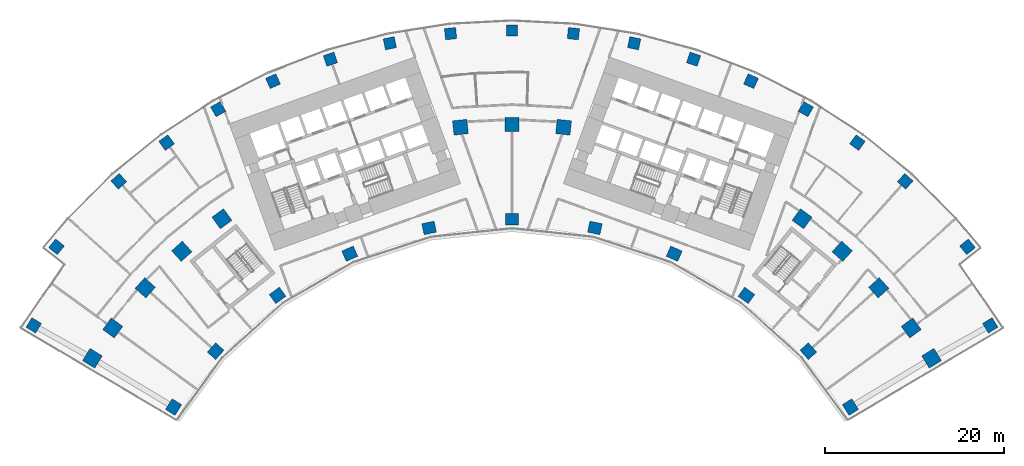
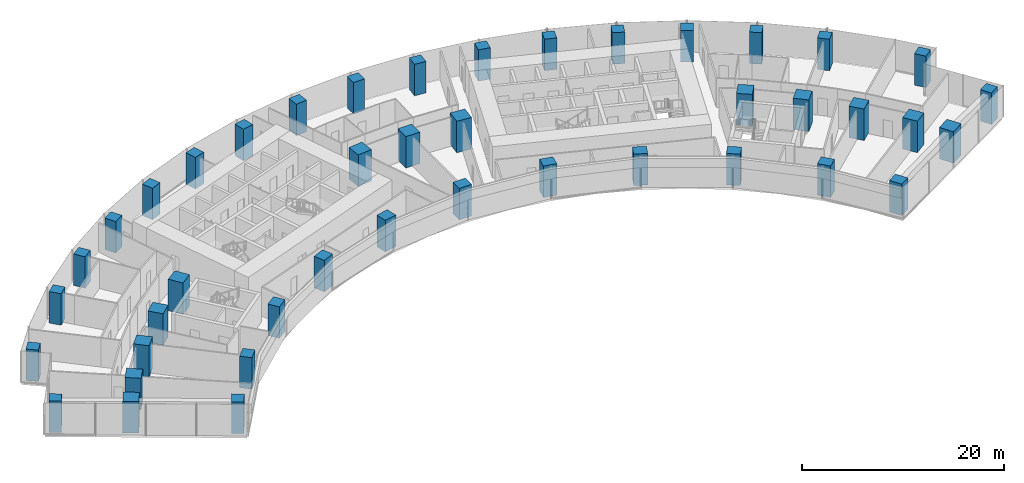
# One storey, part 1 of 21: 43 columns.
"""IFC4 building model written with IfcOpenShell, lengths in metres."""

from ifc_helpers import new_model, si_unit, direction, frame, origin, origin_2d, place, context, subcontext, project, spatial, rectangle, extrude, material, material_profile, profile_set, type_object, element, save


model = new_model("IFC4")

# Units and contexts
model_context = context("Model", 3, precision=1e-05, world=origin(), true_north=direction((0.0, 1.0)))
body_context = subcontext(model_context, "Body", "Model", "MODEL_VIEW")
ifc_project = project(units=[si_unit("LENGTHUNIT", "METRE"), si_unit("AREAUNIT", "SQUARE_METRE"), si_unit("VOLUMEUNIT", "CUBIC_METRE"), si_unit("PLANEANGLEUNIT", "RADIAN"), si_unit("MASSUNIT", "GRAM", prefix="KILO")], contexts=[model_context])

# Site, building, storey
site_placement = place(None, origin())
site = spatial("IfcSite", under=ifc_project, at=site_placement, CompositionType="ELEMENT")
building_placement = place(site_placement, origin())
building = spatial("IfcBuilding", under=site, at=building_placement, Name="Stone Belt Terrace Tower", CompositionType="ELEMENT")
storey_placement = place(building_placement, frame((0.0, 0.0, 33.800048828125)))
storey = spatial("IfcBuildingStorey", under=building, at=storey_placement, Name="L07", CompositionType="ELEMENT", Elevation=33.800048828125)

# Columns
ifc_material = material(Name="Concrete B80", Category="concrete")
ifc_material_profile_1 = material_profile(ifc_material, rectangle(XDim=1.25, YDim=1.25, at=origin_2d()), Name="RC 1250x1250")
ifc_profile_set_1 = profile_set([ifc_material_profile_1], Name="Concrete B80")
column_type_1 = type_object("IfcColumnType", Name="Column RC 1250x1250 B80", PredefinedType="COLUMN", material=ifc_profile_set_1)
for number, where, z_axis, x_axis, name in (
    (1, (-53.30078125, 32.6171875, 0.0), (0.0, 0.0, 1.0), (0.521967198123, 0.852965558556, 0.0), "Column L07 RA"),
    (2, (53.30078125, 32.6171875, 0.0), (0.0, 0.0, 1.0), (0.521967198123, -0.852965558556, 0.0), "Column L07 RB"),
    (3, (-50.7646484375, 41.373046875, 0.0), (0.0, 0.0, 1.0), (0.631758757508, 0.775165061333, 0.0), "Column L07 RNA"),
    (4, (-43.820556640625, 48.667724609375, 0.0), (0.0, 0.0, 1.0), (0.743144825477, 0.669130606359, 0.0), "Column L07 R15"),
    (5, (-38.493408203125, 52.981689453125, 0.0), (0.0, 0.0, 1.0), (0.809016994375, 0.587785252292, 0.0), "Column L07 R16"),
    (6, (-32.744384765625, 56.715087890625, 0.0), (0.0, 0.0, 1.0), (0.866025403784, 0.5, 0.0), "Column L07 R17"),
    (7, (-26.63671875, 59.8271484375, 0.0), (0.0, 0.0, 1.0), (0.913545457643, 0.406736643076, 0.0), "Column L07 R18"),
    (8, (-20.2373046875, 62.28369140625, 0.0), (0.0, 0.0, 1.0), (0.951056516295, 0.309016994375, 0.0), "Column L07 R19"),
    (9, (-13.615966796875, 64.057861328125, 0.0), (0.0, 0.0, 1.0), (0.978147600734, 0.207911690818, 0.0), "Column L07 R20"),
    (10, (-6.845458984375, 65.130126953125, 0.0), (0.0, 0.0, 1.0), (0.994521895368, 0.104528463268, 0.0), "Column L07 R21"),
    (11, (0.0, 65.489013671875, 0.0), (0.0, 0.0, 1.0), (1.0, 0.0, 0.0), "Column L07 R22"),
    (12, (6.845458984375, 65.130126953125, 0.0), (0.0, 0.0, 1.0), (0.994521895368, -0.104528463268, 0.0), "Column L07 R23"),
    (13, (13.615966796875, 64.057861328125, 0.0), (0.0, 0.0, 1.0), (0.978147600734, -0.207911690818, 0.0), "Column L07 R24"),
    (14, (20.2373046875, 62.28369140625, 0.0), (0.0, 0.0, 1.0), (0.951056516295, -0.309016994375, 0.0), "Column L07 R25"),
    (15, (26.63671875, 59.8271484375, 0.0), (0.0, 0.0, 1.0), (0.913545457643, -0.406736643076, 0.0), "Column L07 R26"),
    (16, (32.744384765625, 56.715087890625, 0.0), (0.0, 0.0, 1.0), (0.866025403784, -0.5, 0.0), "Column L07 R27"),
    (17, (38.493408203125, 52.981689453125, 0.0), (0.0, 0.0, 1.0), (0.809016994375, -0.587785252292, 0.0), "Column L07 R28"),
    (18, (43.820556640625, 48.667724609375, 0.0), (0.0, 0.0, 1.0), (0.743144825477, -0.669130606359, 0.0), "Column L07 R29"),
    (19, (50.7646484375, 41.373046875, 0.0), (0.0, 0.0, 1.0), (0.631758757508, -0.775165061333, 0.0), "Column L07 RNB"),
):
    element("IfcColumn", number, at=place(storey_placement, frame(where, z_axis=z_axis, x_axis=x_axis)), inside=storey, type_object=column_type_1, Name=name, PredefinedType="COLUMN", context=body_context, shape_type="SweptSolid", body=[
        extrude(rectangle(XDim=1.25, YDim=1.25, at=origin_2d()), origin(), (0.0, 0.0, 1.0), 3.800048828125),
    ])
ifc_material_profile_2 = material_profile(ifc_material, rectangle(XDim=1.39990234375, YDim=1.25, at=origin_2d()), Name="RC 1400x1250")
ifc_profile_set_2 = profile_set([ifc_material_profile_2], Name="Concrete B80")
column_type_2 = type_object("IfcColumnType", Name="Column RC 1400x1250 B80", PredefinedType="COLUMN", material=ifc_profile_set_2)
for number, where, z_axis, x_axis, name in (
    (20, (-37.718017578125, 23.510009765625, 0.0), (0.0, 0.0, 1.0), (0.528967211548, 0.84864226215, 0.0), "Column L07 PA"),
    (21, (-33.029052734375, 29.739501953125, 0.0), (0.0, 0.0, 1.0), (0.669130606359, 0.743144825477, 0.0), "Column L07 P14"),
    (22, (-26.1240234375, 35.956787109375, 0.0), (0.0, 0.0, 1.0), (0.809016994375, 0.587785252292, 0.0), "Column L07 P16"),
    (23, (-18.077392578125, 40.6025390625, 0.0), (0.0, 0.0, 1.0), (0.913545457643, 0.406736643076, 0.0), "Column L07 P18"),
    (24, (-9.240478515625, 43.473876953125, 0.0), (0.0, 0.0, 1.0), (0.978147600734, 0.207911690818, 0.0), "Column L07 P20"),
    (25, (0.0, 44.445068359375, 0.0), (0.0, 0.0, 1.0), (1.0, 0.0, 0.0), "Column L07 P22"),
    (26, (9.240478515625, 43.473876953125, 0.0), (0.0, 0.0, 1.0), (0.978147600734, -0.207911690818, 0.0), "Column L07 P24"),
    (27, (18.077392578125, 40.6025390625, 0.0), (0.0, 0.0, 1.0), (0.913545457643, -0.406736643076, 0.0), "Column L07 P26"),
    (28, (26.1240234375, 35.956787109375, 0.0), (0.0, 0.0, 1.0), (0.809016994375, -0.587785252292, 0.0), "Column L07 P28"),
    (29, (33.029052734375, 29.739501953125, 0.0), (0.0, 0.0, 1.0), (0.669130606359, -0.743144825477, 0.0), "Column L07 P30"),
    (30, (37.718017578125, 23.510009765625, 0.0), (0.0, 0.0, 1.0), (0.528967211548, -0.84864226215, 0.0), "Column L07 PB"),
):
    element("IfcColumn", number, at=place(storey_placement, frame(where, z_axis=z_axis, x_axis=x_axis)), inside=storey, type_object=column_type_2, Name=name, PredefinedType="COLUMN", context=body_context, shape_type="SweptSolid", body=[
        extrude(rectangle(XDim=1.39990234375, YDim=1.25, at=origin_2d()), origin(), (0.0, 0.0, 1.0), 3.800048828125),
    ])
ifc_material_profile_3 = material_profile(ifc_material, rectangle(XDim=1.60009765625, YDim=1.60009765625, at=origin_2d()), Name="RC 1600x1600")
ifc_profile_set_3 = profile_set([ifc_material_profile_3], Name="Concrete B80")
column_type_3 = type_object("IfcColumnType", Name="Column RC 1600x1600 B80", PredefinedType="COLUMN", material=ifc_profile_set_3)
for number, where, z_axis, x_axis, name in (
    (31, (-46.763671875, 28.951171875, 0.0), (0.0, 0.0, 1.0), (0.526383105721, 0.850247508677, 0.0), "Column L07 QA"),
    (32, (-44.495849609375, 32.328125, 0.0), (0.0, 0.0, 1.0), (0.587785252292, 0.809016994375, 0.0), "Column L07 Q13"),
    (33, (-40.873046875, 36.80224609375, 0.0), (0.0, 0.0, 1.0), (0.669130606359, 0.743144825477, 0.0), "Column L07 Q14"),
    (34, (-36.80224609375, 40.873046875, 0.0), (0.0, 0.0, 1.0), (0.743144825477, 0.669130606359, 0.0), "Column L07 Q15"),
    (35, (-32.328125, 44.495849609375, 0.0), (0.0, 0.0, 1.0), (0.809016994375, 0.587785252292, 0.0), "Column L07 Q16"),
    (36, (-5.7490234375, 54.69873046875, 0.0), (0.0, 0.0, 1.0), (0.994521895368, 0.104528463268, 0.0), "Column L07 Q21"),
    (37, (0.0, 55.0, 0.0), (0.0, 0.0, 1.0), (1.0, 0.0, 0.0), "Column L07 Q22"),
    (38, (5.7490234375, 54.69873046875, 0.0), (0.0, 0.0, 1.0), (0.994521895368, -0.104528463268, 0.0), "Column L07 Q23"),
    (39, (32.328125, 44.495849609375, 0.0), (0.0, 0.0, 1.0), (0.809016994375, -0.587785252292, 0.0), "Column L07 Q28"),
    (40, (36.80224609375, 40.873046875, 0.0), (0.0, 0.0, 1.0), (0.743144825477, -0.669130606359, 0.0), "Column L07 Q29"),
    (41, (40.873046875, 36.80224609375, 0.0), (0.0, 0.0, 1.0), (0.669130606359, -0.743144825477, 0.0), "Column L07 Q30"),
    (42, (44.495849609375, 32.328125, 0.0), (0.0, 0.0, 1.0), (0.587785252292, -0.809016994375, 0.0), "Column L07 Q31"),
    (43, (46.763671875, 28.951171875, 0.0), (0.0, 0.0, 1.0), (0.526383105721, -0.850247508677, 0.0), "Column L07 QB"),
):
    element("IfcColumn", number, at=place(storey_placement, frame(where, z_axis=z_axis, x_axis=x_axis)), inside=storey, type_object=column_type_3, Name=name, PredefinedType="COLUMN", context=body_context, shape_type="SweptSolid", body=[
        extrude(rectangle(XDim=1.60009765625, YDim=1.60009765625, at=origin_2d()), origin(), (0.0, 0.0, 1.0), 3.800048828125),
    ])

save(model, "model.ifc")
